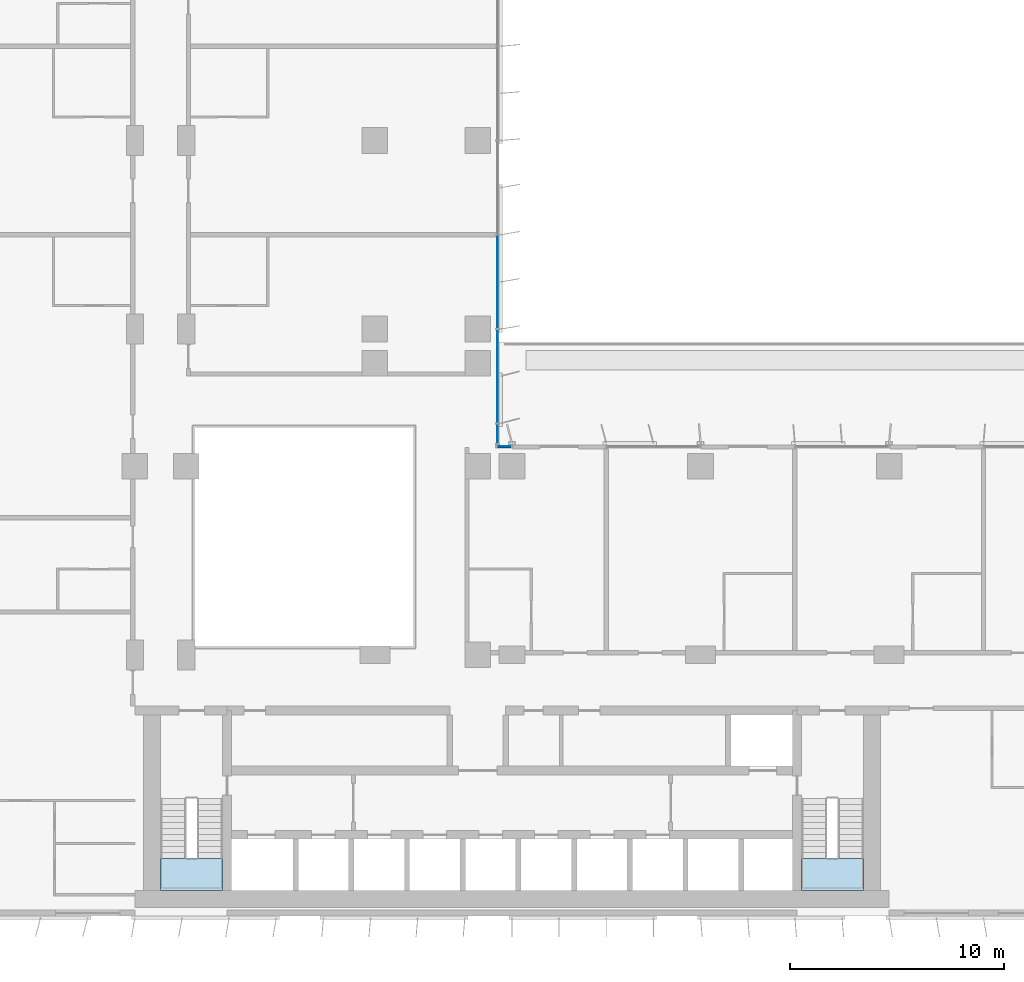
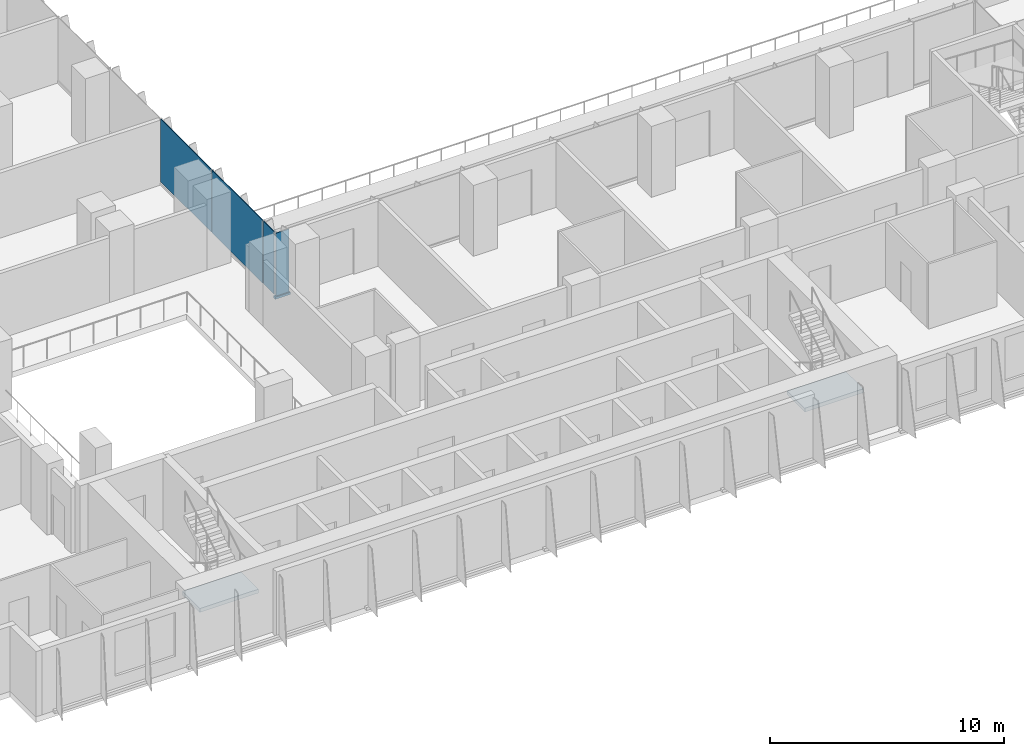
# One storey, part 10 of 27: 4 plates, 2 slabs, 1 member, 4 elements without a shape of their own.
"""IFC4 building model written with IfcOpenShell, lengths in metres."""

from ifc_helpers import new_model, si_unit, direction, frame, origin, origin_2d, place, context, subcontext, project, spatial, polyline, rectangle, outline, extrude, source, transform, mapped, material, layer, layer_set, material_profile, profile_set, type_object, element, aggregate, save


model = new_model("IFC4")

# Units and contexts
model_context = context("Model", 3, precision=1e-05, world=origin(), true_north=direction((0.0, 1.0)))
body_context = subcontext(model_context, "Body", "Model", "MODEL_VIEW")
ifc_project = project(units=[si_unit("LENGTHUNIT", "METRE"), si_unit("AREAUNIT", "SQUARE_METRE"), si_unit("VOLUMEUNIT", "CUBIC_METRE"), si_unit("PLANEANGLEUNIT", "RADIAN"), si_unit("MASSUNIT", "GRAM", prefix="KILO")], contexts=[model_context])

# Site, building, storey
site_placement = place(None, origin())
site = spatial("IfcSite", under=ifc_project, at=site_placement, CompositionType="ELEMENT")
building_placement = place(site_placement, origin())
building = spatial("IfcBuilding", under=site, at=building_placement, Name="Kemantara Hotel Tower", CompositionType="ELEMENT")
storey_placement = place(building_placement, frame((0.0, 0.0, 83.39990234375)))
storey = spatial("IfcBuildingStorey", under=building, at=storey_placement, Name="L19", CompositionType="ELEMENT", Elevation=83.39990234375)

# Curtain wall, member
ifc_material_1 = material(Name="Toughened tinted glass 32 mm", Category="glass")
curtain_wall_type_1 = type_object("IfcCurtainWallType", Name="TERRACE GLAZING WALL", PredefinedType="USERDEFINED", material=ifc_material_1)
curtain_wall_1_placement = place(storey_placement, origin())
curtain_wall_1 = element("IfcCurtainWall", 1, at=curtain_wall_1_placement, inside=storey, type_object=curtain_wall_type_1, Name="CW6 L19 T2-R13-5", ObjectType="TERRACE GLAZING WALL", PredefinedType="USERDEFINED")
ifc_material_2 = material(Name="Aluminium 6063-T6 bronze anodised", Category="aluminium")
ifc_material_profile = material_profile(ifc_material_2, rectangle(XDim=0.14990234375, YDim=0.1201171875, at=origin_2d()), Name="TERRACE GLAZING WALL TRANSOM")
ifc_profile_set = profile_set([ifc_material_profile], Name="Aluminium 6063-T6 bronze anodised")
member_type = type_object("IfcMemberType", Name="TERRACE GLAZING WALL TRANSOM", PredefinedType="USERDEFINED", material=ifc_profile_set)
member_placement = place(storey_placement, frame((27.39990234375, 21.925048828125, 0.06005859375), z_axis=(-1.0, 0.0, 0.0), x_axis=(0.0, -1.0, 0.0)))
member = element("IfcMember", 2, at=member_placement, type_object=member_type, Name="CW6 sill transom T2-R13-5", ObjectType="TRANSOM", PredefinedType="USERDEFINED", context=body_context, shape_type="SweptSolid", body=[
    extrude(rectangle(XDim=0.14990234375, YDim=0.1201171875, at=origin_2d()), origin(), (0.0, 0.0, 1.0), 0.75),
])

# Stair, slab
ifc_material_3 = material(Name="Concrete fc 40 MPa", Category="concrete")
stair_type = type_object("IfcStairType", Name="Stair 1200 wide 22 risers of 168 x 280 mm", PredefinedType="HALF_TURN_STAIR", material=ifc_material_3)
stair_1_placement = place(storey_placement, origin())
stair_1 = element("IfcStair", 3, at=stair_1_placement, inside=storey, type_object=stair_type, Name="L19 Exit stair ST1", PredefinedType="HALF_TURN_STAIR")
ifc_layer_1 = layer(ifc_material_3, 0.199951171875)
ifc_layer_set_1 = layer_set([ifc_layer_1], Name="Concrete fc 40 MPa")
slab_type = type_object("IfcSlabType", Name="Stair landing 200 mm", PredefinedType="LANDING", material=ifc_layer_set_1)
slab_1_placement = place(storey_placement, frame((0.0, 0.0, 1.650146484375)))
slab_1 = element("IfcSlab", 4, at=slab_1_placement, type_object=slab_type, Name="ST1 landing 1", PredefinedType="LANDING", context=body_context, shape_type="SweptSolid", body=[
    extrude(outline(polyline([(11.0, 2.699951171875), (11.0, 1.199951171875), (13.89990234375, 1.199951171875), (13.89990234375, 2.699951171875), (11.0, 2.699951171875)])), origin(), (0.0, 0.0, 1.0), 0.199951171875),
])
aggregate(stair_1, [slab_1])

stair_2_placement = place(storey_placement, origin())
stair_2 = element("IfcStair", 5, at=stair_2_placement, inside=storey, type_object=stair_type, Name="L19 Exit stair ST2", PredefinedType="HALF_TURN_STAIR")
slab_2_placement = place(storey_placement, frame((0.0, 0.0, 1.650146484375)))
slab_2 = element("IfcSlab", 6, at=slab_2_placement, type_object=slab_type, Name="ST2 landing 1", PredefinedType="LANDING", context=body_context, shape_type="SweptSolid", body=[
    extrude(outline(polyline([(40.89990234375, 2.699951171875), (40.89990234375, 1.199951171875), (43.800048828125, 1.199951171875), (43.800048828125, 2.699951171875), (40.89990234375, 2.699951171875)])), origin(), (0.0, 0.0, 1.0), 0.199951171875),
])
aggregate(stair_2, [slab_2])

# Curtain wall, plates
ifc_material_4 = material(Name="Low-E tinted double insulated glass 36 mm", Category="glass")
curtain_wall_type_2 = type_object("IfcCurtainWallType", Name="TOWER CURTAIN WALL, FRONT FACES", PredefinedType="USERDEFINED", material=ifc_material_4)
curtain_wall_2_placement = place(storey_placement, origin())
curtain_wall_2 = element("IfcCurtainWall", 7, at=curtain_wall_2_placement, inside=storey, type_object=curtain_wall_type_2, Name="CW4 L19 T2-R14-1", ObjectType="TOWER CURTAIN WALL, FRONT FACES", PredefinedType="USERDEFINED")
ifc_layer_2 = layer(ifc_material_4, 0.035888671875)
ifc_layer_set_2 = layer_set([ifc_layer_2], Name="Low-E tinted double insulated glass 36 mm")
plate_type_1 = type_object("IfcPlateType", Name="TOWER CURTAIN WALL, FRONT FACES PANEL", PredefinedType="CURTAIN_PANEL", material=ifc_layer_set_2)
shared_shape_1 = source(origin(), body_context, "Body", "SweptSolid", [
    extrude(rectangle(XDim=4.340087890625, YDim=0.035888671875, at=origin_2d()), origin(), (0.0, 0.0, 1.0), 3.280029296875),
])
plate_1_placement = place(storey_placement, frame((26.72509765625, 25.199951171875, 0.1201171875), z_axis=(0.0, 0.0, 1.0), x_axis=(0.0, 1.0, 0.0)))
plate_1 = element("IfcPlate", 8, at=plate_1_placement, type_object=plate_type_1, Name="CW4 glass panel T2-R14-1.2", PredefinedType="CURTAIN_PANEL", context=body_context, shape_type="MappedRepresentation", body=[
    mapped(shared_shape_1, transform((0.0, 0.0, 0.0))),
])
plate_2_placement = place(storey_placement, frame((26.72509765625, 29.60009765625, 0.1201171875), z_axis=(0.0, 0.0, 1.0), x_axis=(0.0, 1.0, 0.0)))
plate_2 = element("IfcPlate", 9, at=plate_2_placement, type_object=plate_type_1, Name="CW4 glass panel T2-R14-1.3", PredefinedType="CURTAIN_PANEL", context=body_context, shape_type="MappedRepresentation", body=[
    mapped(shared_shape_1, transform((0.0, 0.0, 0.0))),
])

# Plate
ifc_layer_3 = layer(ifc_material_1, 0.031982421875)
ifc_layer_set_3 = layer_set([ifc_layer_3], Name="Toughened tinted glass 32 mm")
plate_type_2 = type_object("IfcPlateType", Name="TERRACE GLAZING WALL PANEL", PredefinedType="CURTAIN_PANEL", material=ifc_layer_set_3)
shared_shape_2 = source(origin(), body_context, "Body", "SweptSolid", [
    extrude(rectangle(XDim=0.659912109375, YDim=0.031982421875, at=origin_2d()), origin(), (0.0, 0.0, 1.0), 3.280029296875),
])
plate_3_placement = place(storey_placement, frame((27.0400390625, 21.925048828125, 0.1201171875), z_axis=(0.0, 0.0, 1.0), x_axis=(-1.0, 0.0, 0.0)))
plate_3 = element("IfcPlate", 10, at=plate_3_placement, type_object=plate_type_2, Name="CW6 glass panel T2-R13-5.1", PredefinedType="CURTAIN_PANEL", context=body_context, shape_type="MappedRepresentation", body=[
    mapped(shared_shape_2, transform((0.0, 0.0, 0.0))),
])

aggregate(curtain_wall_1, [member, plate_3])

shared_shape_3 = source(origin(), body_context, "Body", "SweptSolid", [
    extrude(rectangle(XDim=0.909912109375, YDim=0.035888671875, at=origin_2d()), origin(), (0.0, 0.0, 1.0), 3.280029296875),
])
plate_4_placement = place(storey_placement, frame((26.72509765625, 22.514892578125, 0.1201171875), z_axis=(0.0, 0.0, 1.0), x_axis=(0.0, 1.0, 0.0)))
plate_4 = element("IfcPlate", 11, at=plate_4_placement, type_object=plate_type_1, Name="CW4 glass panel T2-R14-1.1", PredefinedType="CURTAIN_PANEL", context=body_context, shape_type="MappedRepresentation", body=[
    mapped(shared_shape_3, transform((0.0, 0.0, 0.0))),
])

aggregate(curtain_wall_2, [plate_4, plate_1, plate_2])

save(model, "model.ifc")
